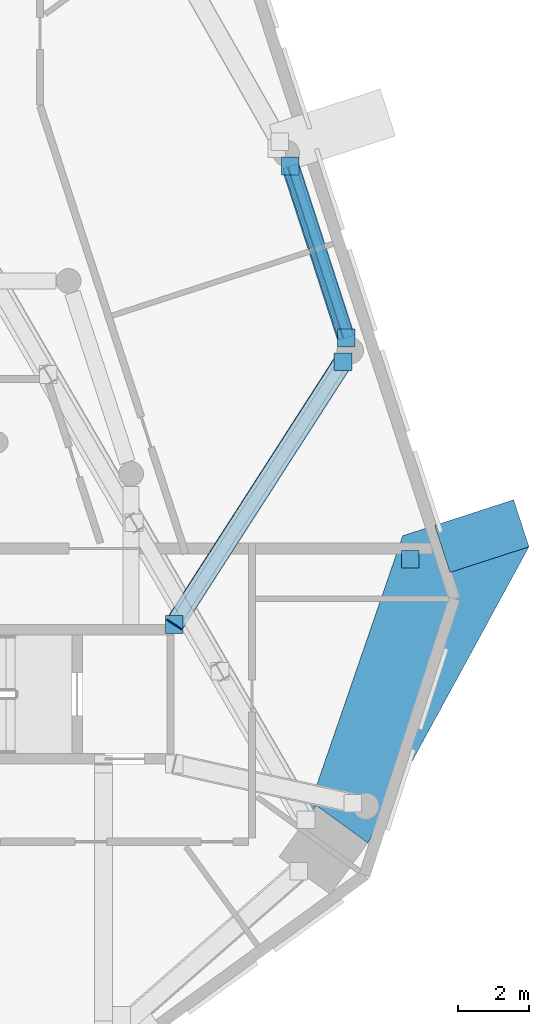
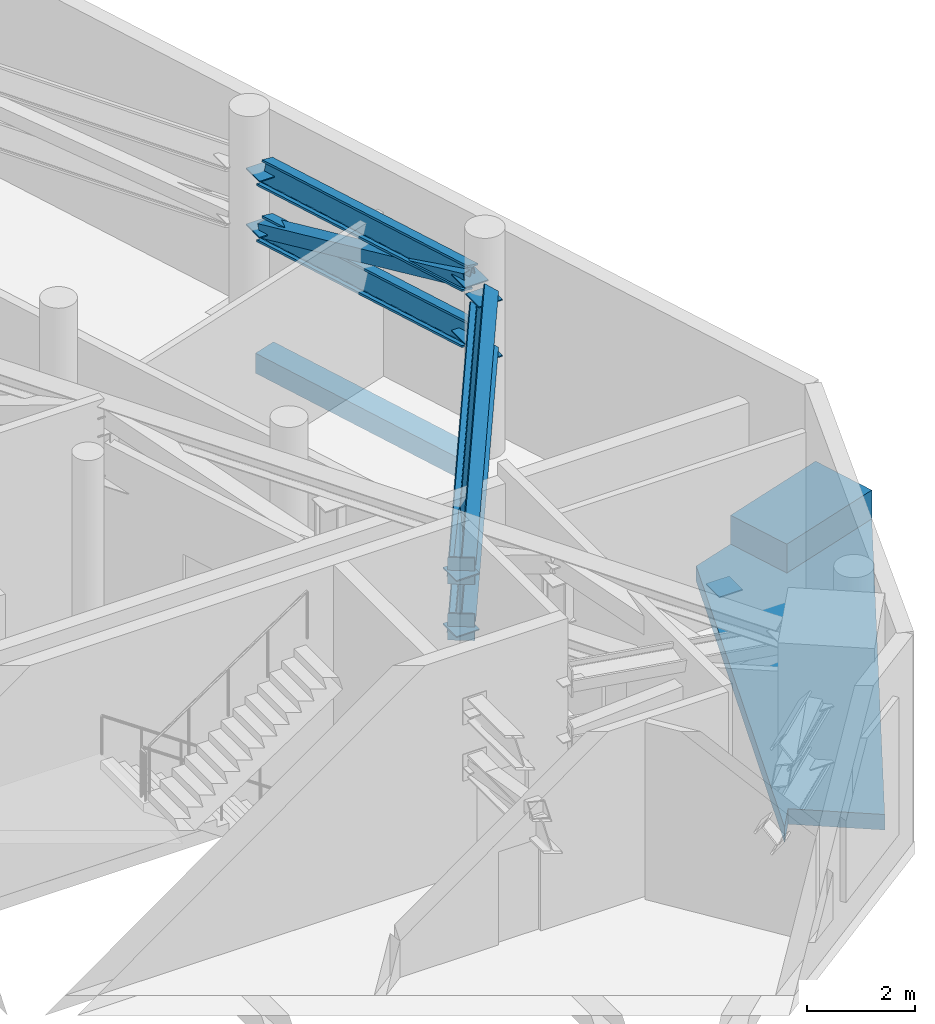
# One storey, part 5 of 17: 11 discrete accessories, 8 members, 1 beam.
"""IFC4 building model written with IfcOpenShell, lengths in metres."""

import ifcopenshell
import ifcopenshell.guid

model = None  # the IFC model being written
_history = None  # IfcOwnerHistory: only IFC2X3 demands one
_inside = {}  # id of a spatial element -> (the spatial element, [elements in it])
_under = {}  # id of a project, library or spatial element -> (it, [spatial elements below it])
_declared = {}  # id of a project -> (the project, [libraries it declares])
_typed = {}  # id of a type object -> (the type object, [elements of that type])
_made_of = {}  # id of a material, layer set ... -> (it, [elements and type objects made of it])


def new_model(schema):
    """Start an empty IFC model of exactly this schema.

    Asked for "IFC4X3", IfcOpenShell would pick the latest addendum, in which some entities
    have other attributes; the version numbers below select the first issue.
    IFC2X3 requires an IfcOwnerHistory on every rooted entity: one is made here for all.
    """
    global model, _history
    if schema == "IFC4X3":
        model = ifcopenshell.file(schema_version=(4, 3, 0, 0))
    else:
        model = ifcopenshell.file(schema=schema)
    _inside.clear()
    _under.clear()
    _declared.clear()
    _typed.clear()
    _made_of.clear()
    _history = None
    if model.schema == "IFC2X3":
        org = make("IfcOrganization", Name="unknown")
        user = make(
            "IfcPersonAndOrganization",
            ThePerson=make("IfcPerson", FamilyName="unknown"),
            TheOrganization=org,
        )
        app = make(
            "IfcApplication",
            ApplicationDeveloper=org,
            Version="unknown",
            ApplicationFullName="unknown",
            ApplicationIdentifier="unknown",
        )
        _history = make(
            "IfcOwnerHistory",
            OwningUser=user,
            OwningApplication=app,
            ChangeAction="ADDED",
            CreationDate=0,
        )
    return model


def make(cls, **values):
    """One entity of the class cls with the attributes given. An attribute that is None is left unset."""
    return model.create_entity(
        cls, **{name: value for name, value in values.items() if value is not None}
    )


def rooted(cls, **values):
    """An entity with a GlobalId (a new one), such as an element, a storey or a relation."""
    return make(cls, GlobalId=ifcopenshell.guid.new(), OwnerHistory=_history, **values)


def si_unit(unit_type, name, prefix=None):
    """IfcSIUnit, for example si_unit("LENGTHUNIT", "METRE", prefix="MILLI")."""
    return make("IfcSIUnit", UnitType=unit_type, Prefix=prefix, Name=name)


def assignment(units):
    """IfcUnitAssignment: the units of a project."""
    return None if units is None else make("IfcUnitAssignment", Units=units)


def point(xyz):
    """IfcCartesianPoint."""
    return None if xyz is None else make("IfcCartesianPoint", Coordinates=xyz)


def direction(xyz):
    """IfcDirection."""
    return None if xyz is None else make("IfcDirection", DirectionRatios=xyz)


def frame(location, z_axis=None, x_axis=None):
    """IfcAxis2Placement3D, a coordinate frame: its origin and axes. An axis left out is left unset."""
    return make(
        "IfcAxis2Placement3D",
        Location=point(location),
        Axis=direction(z_axis),
        RefDirection=direction(x_axis),
    )


def frame_2d(location, x_axis=None):
    """IfcAxis2Placement2D, a coordinate frame in the plane: its origin and x axis."""
    return make(
        "IfcAxis2Placement2D", Location=point(location), RefDirection=direction(x_axis)
    )


def origin():
    """The frame at (0, 0, 0) with its axes left unset."""
    return frame((0.0, 0.0, 0.0))


def origin_2d():
    """The frame at (0, 0) in the plane with its x axis left unset."""
    return frame_2d((0.0, 0.0))


def place(relative_to, where):
    """IfcLocalPlacement: puts the frame where relative to a parent placement (None: the world)."""
    return make(
        "IfcLocalPlacement", PlacementRelTo=relative_to, RelativePlacement=where
    )


def context(
    kind, dimensions, precision=None, world=None, true_north=None, identifier=None
):
    """IfcGeometricRepresentationContext, for example the 3D "Model" context."""
    return make(
        "IfcGeometricRepresentationContext",
        ContextIdentifier=identifier,
        ContextType=kind,
        CoordinateSpaceDimension=dimensions,
        Precision=precision,
        WorldCoordinateSystem=world,
        TrueNorth=true_north,
    )


def subcontext(parent, identifier, kind, view, scale=None):
    """IfcGeometricRepresentationSubContext, for example "Body" below "Model"."""
    return make(
        "IfcGeometricRepresentationSubContext",
        ContextIdentifier=identifier,
        ContextType=kind,
        ParentContext=parent,
        TargetScale=scale,
        TargetView=view,
    )


def project(units=None, contexts=None):
    """IfcProject with its units and contexts."""
    return rooted(
        "IfcProject",
        Name="project",
        RepresentationContexts=contexts,
        UnitsInContext=assignment(units),
    )


def spatial(cls, under=None, at=None, **own):
    """A site, building, storey or space (cls), placed at a placement, below another one or the project."""
    s = rooted(cls, ObjectPlacement=at, **own)
    if under is not None:
        _under.setdefault(under.id(), (under, []))[1].append(s)
    return s


def polyline(points):
    """IfcPolyline through the points."""
    return make("IfcPolyline", Points=[point(p) for p in points])


def profile(cls, at=None, kind="AREA", **sizes):
    """A parametric profile (cls). Its sizes go by their IFC names, for example OverallWidth=200.0."""
    return make(cls, ProfileType=kind, Position=at, **sizes)


def rectangle(**sizes):
    """IfcRectangleProfileDef."""
    return profile("IfcRectangleProfileDef", **sizes)


def hollow_rectangle(**sizes):
    """IfcRectangleHollowProfileDef."""
    return profile("IfcRectangleHollowProfileDef", **sizes)


def i_section(**sizes):
    """IfcIShapeProfileDef."""
    return profile("IfcIShapeProfileDef", **sizes)


def outline(outer, holes=None, kind="AREA"):
    """IfcArbitraryClosedProfileDef: a profile drawn as a closed curve; with holes, ...WithVoids."""
    if holes is None:
        return make("IfcArbitraryClosedProfileDef", ProfileType=kind, OuterCurve=outer)
    return make(
        "IfcArbitraryProfileDefWithVoids",
        ProfileType=kind,
        OuterCurve=outer,
        InnerCurves=holes,
    )


def extrude(swept, where, along, depth):
    """IfcExtrudedAreaSolid: the profile swept, set in the frame where, extruded along a direction by depth."""
    return make(
        "IfcExtrudedAreaSolid",
        SweptArea=swept,
        Position=where,
        ExtrudedDirection=direction(along),
        Depth=depth,
    )


def shape(context_of_items, identifier, shape_type, items):
    """IfcShapeRepresentation: the items that make up one representation, for example the "Body"."""
    return make(
        "IfcShapeRepresentation",
        ContextOfItems=context_of_items,
        RepresentationIdentifier=identifier,
        RepresentationType=shape_type,
        Items=items,
    )


def material(Name=None, Category=None):
    """IfcMaterial."""
    return make("IfcMaterial", Name=Name, Category=Category)


def layer(
    of_material, thickness, ventilated=None, Name=None, Category=None, Priority=None
):
    """IfcMaterialLayer: one layer of a wall or slab, of a material (None: an air gap)."""
    return make(
        "IfcMaterialLayer",
        Material=of_material,
        LayerThickness=thickness,
        IsVentilated=ventilated,
        Name=Name,
        Category=Category,
        Priority=Priority,
    )


def layer_set(layers, Name=None):
    """IfcMaterialLayerSet."""
    return make("IfcMaterialLayerSet", MaterialLayers=layers, LayerSetName=Name)


def material_profile(
    of_material, cross_section, Name=None, Category=None, Priority=None
):
    """IfcMaterialProfile: a cross section and its material."""
    return make(
        "IfcMaterialProfile",
        Name=Name,
        Material=of_material,
        Profile=cross_section,
        Priority=Priority,
        Category=Category,
    )


def profile_set(profiles, Name=None, composite=None):
    """IfcMaterialProfileSet."""
    return make(
        "IfcMaterialProfileSet",
        Name=Name,
        MaterialProfiles=profiles,
        CompositeProfile=composite,
    )


def made_of(thing, what):
    """Note that an element or type object is made of a material, layer set ...; save() writes the relation."""
    if what is not None:
        _made_of.setdefault(what.id(), (what, []))[1].append(thing)
    return thing


def type_object(cls, material=None, **own):
    """A type object (cls), such as IfcWallType, which elements share."""
    return made_of(rooted(cls, **own), material)


def element(
    cls,
    number,
    at=None,
    inside=None,
    cuts=None,
    type_object=None,
    material=None,
    context=None,
    identifier="Body",
    shape_type=None,
    held_by="IfcProductDefinitionShape",
    body=None,
    shapes=None,
    **own,
):
    """One element of the class cls, such as IfcWall. Its Tag is "e" and its number.

    at: its placement. inside: the storey or other place that contains it. cuts: it is an
    opening in that element (IfcRelVoidsElement). A single representation is given by context,
    identifier, shape_type and body (its items); several are given by shapes. held_by: the class
    of the entity that holds the representations. save() writes the other relations.
    """
    e = rooted(cls, Tag="e%d" % number, ObjectPlacement=at, **own)
    if body is not None:
        shapes = [shape(context, identifier, shape_type, body)]
    if shapes is not None:
        e.Representation = make(held_by, Representations=shapes)
    if inside is not None:
        _inside.setdefault(inside.id(), (inside, []))[1].append(e)
    if cuts is not None:
        rooted(
            "IfcRelVoidsElement", RelatingBuildingElement=cuts, RelatedOpeningElement=e
        )
    if type_object is not None:
        _typed.setdefault(type_object.id(), (type_object, []))[1].append(e)
    return made_of(e, material)


def aggregate(whole, parts):
    """IfcRelAggregates: a whole, such as a stair, and the parts it consists of."""
    return rooted("IfcRelAggregates", RelatingObject=whole, RelatedObjects=parts)


def save(model, path):
    """Write the relations noted so far, then the file.

    IfcRelAggregates (storeys below a building ...), IfcRelContainedInSpatialStructure (elements
    in a storey), IfcRelDefinesByType, IfcRelAssociatesMaterial and IfcRelDeclares: one each for
    every whole, place, type object, material and project.
    """
    for whole, parts in _under.values():
        aggregate(whole, parts)
    for where, things in _inside.values():
        rooted(
            "IfcRelContainedInSpatialStructure",
            RelatedElements=things,
            RelatingStructure=where,
        )
    for kind, things in _typed.values():
        rooted("IfcRelDefinesByType", RelatedObjects=things, RelatingType=kind)
    for what, things in _made_of.values():
        rooted("IfcRelAssociatesMaterial", RelatedObjects=things, RelatingMaterial=what)
    for by, libraries in _declared.values():
        rooted("IfcRelDeclares", RelatingContext=by, RelatedDefinitions=libraries)
    model.write(path)


model = new_model("IFC4")

# Units and contexts
model_context = context("Model", 3, precision=1e-05, world=origin(), true_north=direction((0.0, 1.0)))
body_context = subcontext(model_context, "Body", "Model", "MODEL_VIEW")
ifc_project = project(units=[si_unit("LENGTHUNIT", "METRE"), si_unit("AREAUNIT", "SQUARE_METRE"), si_unit("VOLUMEUNIT", "CUBIC_METRE"), si_unit("PLANEANGLEUNIT", "RADIAN"), si_unit("MASSUNIT", "GRAM", prefix="KILO")], contexts=[model_context])

# Site, building, storey
site_placement = place(None, origin())
site = spatial("IfcSite", under=ifc_project, at=site_placement, CompositionType="ELEMENT")
building_placement = place(site_placement, origin())
building = spatial("IfcBuilding", under=site, at=building_placement, Name="White Candle Pilgrim Tower", CompositionType="ELEMENT")
storey_placement = place(building_placement, frame((0.0, 0.0, 191.5)))
storey = spatial("IfcBuildingStorey", under=building, at=storey_placement, Name="L44", CompositionType="ELEMENT", Elevation=191.5)

# Member
ifc_material_1 = material(Name="Steel S355", Category="steel")
ifc_material_profile_1 = material_profile(ifc_material_1, i_section(OverallWidth=0.305908203125, OverallDepth=0.52392578125, WebThickness=0.02099609375, FlangeThickness=0.0400390625, FilletRadius=0.027099609375, at=origin_2d()), Name="HEM 500")
ifc_profile_set_1 = profile_set([ifc_material_profile_1], Name="Steel S355")
member_type_1 = type_object("IfcMemberType", Name="Belt truss chord HEM 500 S355", PredefinedType="CHORD", material=ifc_profile_set_1)
member_1_placement = place(storey_placement, frame((91.77734375, 69.28466796875, 2.412109375), z_axis=(-0.540595612128, -0.841282582815, 0.0), x_axis=(0.707757556798, -0.454794426357, -0.540593442941)))
member_1 = element("IfcMember", 1, at=member_1_placement, inside=storey, type_object=member_type_1, Name="L44 belt truss bottom chord 07", PredefinedType="CHORD", context=body_context, shape_type="SweptSolid", body=[
    extrude(i_section(OverallWidth=0.305908203125, OverallDepth=0.52392578125, WebThickness=0.02099609375, FlangeThickness=0.0400390625, FilletRadius=0.027099609375, at=origin_2d()), origin(), (0.0, 0.0, 1.0), 8.837158203125),
])

member_2_placement = place(storey_placement, frame((91.77734375, 69.28466796875, 3.677978515625), z_axis=(-0.540595612128, -0.841282582815, 0.0), x_axis=(0.707757556798, -0.454794426357, -0.540593442941)))
member_2 = element("IfcMember", 2, at=member_2_placement, inside=storey, type_object=member_type_1, Name="L44 belt truss top chord 07", PredefinedType="CHORD", context=body_context, shape_type="SweptSolid", body=[
    extrude(i_section(OverallWidth=0.305908203125, OverallDepth=0.52392578125, WebThickness=0.02099609375, FlangeThickness=0.0400390625, FilletRadius=0.027099609375, at=origin_2d()), origin(), (0.0, 0.0, 1.0), 8.837158203125),
])

member_3_placement = place(storey_placement, frame((91.8642578125, 69.95654296875, 2.412109375), z_axis=(-0.308530369215, 0.951214492779, 0.0), x_axis=(0.904807198821, 0.293477970784, -0.308536243617)))
member_3 = element("IfcMember", 3, at=member_3_placement, inside=storey, type_object=member_type_1, Name="L44 belt truss bottom chord 08", PredefinedType="CHORD", context=body_context, shape_type="SweptSolid", body=[
    extrude(i_section(OverallWidth=0.305908203125, OverallDepth=0.52392578125, WebThickness=0.02099609375, FlangeThickness=0.0400390625, FilletRadius=0.027099609375, at=origin_2d()), origin(), (0.0, 0.0, 1.0), 5.116455078125),
])

member_4_placement = place(storey_placement, frame((91.8642578125, 69.95654296875, 3.677978515625), z_axis=(-0.308530369215, 0.951214492779, 0.0), x_axis=(0.904807198821, 0.293477970784, -0.308536243617)))
member_4 = element("IfcMember", 4, at=member_4_placement, inside=storey, type_object=member_type_1, Name="L44 belt truss top chord 08", PredefinedType="CHORD", context=body_context, shape_type="SweptSolid", body=[
    extrude(i_section(OverallWidth=0.305908203125, OverallDepth=0.52392578125, WebThickness=0.02099609375, FlangeThickness=0.0400390625, FilletRadius=0.027099609375, at=origin_2d()), origin(), (0.0, 0.0, 1.0), 5.116455078125),
])

# Members
ifc_material_profile_2 = material_profile(ifc_material_1, hollow_rectangle(XDim=0.300048828125, YDim=0.300048828125, WallThickness=0.01611328125, at=origin_2d()), Name="SHS 300x300x16")
ifc_profile_set_2 = profile_set([ifc_material_profile_2], Name="Steel S355")
member_type_2 = type_object("IfcMemberType", Name="Belt truss diagonal SHS 300x300x16 S355", PredefinedType="BRACE", material=ifc_profile_set_2)
member_5_placement = place(storey_placement, frame((91.77734375, 69.28466796875, 2.412109375), z_axis=(-0.535133370927, -0.832782165346, 0.141796122662), x_axis=(0.841282582815, -0.540595612128, 0.0)))
element("IfcMember", 5, at=member_5_placement, inside=storey, type_object=member_type_2, Name="L44 belt truss diagonal 07", PredefinedType="BRACE", context=body_context, shape_type="SweptSolid", body=[
    extrude(hollow_rectangle(XDim=0.300048828125, YDim=0.300048828125, WallThickness=0.01611328125, at=origin_2d()), origin(), (0.0, 0.0, 1.0), 8.927490234375),
])
member_6_placement = place(storey_placement, frame((91.8642578125, 69.95654296875, 3.677978515625), z_axis=(-0.299500301646, 0.923374344775, -0.240165336226), x_axis=(-0.951214492779, -0.308530369215, 0.0)))
element("IfcMember", 6, at=member_6_placement, inside=storey, type_object=member_type_2, Name="L44 belt truss diagonal 08", PredefinedType="BRACE", context=body_context, shape_type="SweptSolid", body=[
    extrude(hollow_rectangle(XDim=0.300048828125, YDim=0.300048828125, WallThickness=0.01611328125, at=origin_2d()), origin(), (0.0, 0.0, 1.0), 5.270751953125),
])

# Member
ifc_material_2 = material(Name="Concrete C70/85, white", Category="concrete")
ifc_layer_1 = layer(ifc_material_2, 0.300048828125)
ifc_layer_set_1 = layer_set([ifc_layer_1], Name="Node tie strut 3300x1400x300 C70/85")
member_type_3 = type_object("IfcMemberType", Name="Node tie strut 3300x1400x300 C70/85", PredefinedType="STRUT", material=ifc_layer_set_1)
member_7_placement = place(storey_placement, frame((0.0, 0.0, -0.35009765625)))
member_7 = element("IfcMember", 7, at=member_7_placement, inside=storey, type_object=member_type_3, Name="Node tie strut NC141", PredefinedType="STRUT", context=body_context, shape_type="SweptSolid", body=[
    extrude(outline(polyline([(92.47705078125, 55.669189453125), (97.037109375, 64.04638671875), (96.6044921875, 65.3779296875), (93.4658203125, 64.358154296875), (90.666015625, 56.238525390625), (91.02099609375, 56.72705078125), (92.47705078125, 55.669189453125)])), origin(), (0.0, 0.0, 1.0), 0.35009765625),
])

member_8_placement = place(storey_placement, origin())
element("IfcMember", 8, at=member_8_placement, inside=storey, type_object=member_type_3, Name="Node tie strut NC141", PredefinedType="STRUT", context=body_context, shape_type="SweptSolid", body=[
    extrude(outline(polyline([(94.802001953125, 63.3203125), (97.037109375, 64.04638671875), (96.6044921875, 65.3779296875), (94.369384765625, 64.651611328125), (94.802001953125, 63.3203125)])), origin(), (0.0, 0.0, 1.0), 0.64990234375),
])

# Beam
ifc_material_3 = material(Name="Concrete C50/60", Category="concrete")
ifc_material_profile_3 = material_profile(ifc_material_3, rectangle(XDim=0.5, YDim=0.449951171875, at=origin_2d()), Name="RC-BM 500x450")
ifc_profile_set_3 = profile_set([ifc_material_profile_3], Name="Concrete C50/60")
beam_type = type_object("IfcBeamType", Name="Spandrel beam RC-BM 500x450 C50/60", PredefinedType="BEAM", material=ifc_profile_set_3)
beam_placement = place(storey_placement, frame((91.8642578125, 69.95654296875, -0.52490234375), z_axis=(-0.308530369215, 0.951214492779, 0.0), x_axis=(-0.951214492779, -0.308530369215, 0.0)))
element("IfcBeam", 9, at=beam_placement, inside=storey, type_object=beam_type, Name="L44 spandrel beam T08", PredefinedType="BEAM", context=body_context, shape_type="SweptSolid", body=[
    extrude(rectangle(XDim=0.5, YDim=0.449951171875, at=origin_2d()), origin(), (0.0, 0.0, 1.0), 5.116455078125),
])

# Discrete accessory
ifc_layer_2 = layer(ifc_material_1, 0.030029296875)
ifc_layer_set_2 = layer_set([ifc_layer_2], Name="Cast-in plate 500x600x30 S355")
discrete_accessory_type_1 = type_object("IfcDiscreteAccessoryType", Name="Cast-in plate 500x600x30 S355", PredefinedType="ANCHORPLATE", material=ifc_layer_set_2)
discrete_accessory_1_placement = place(storey_placement, frame((87.0, 61.85009765625, 2.112060546875), z_axis=(0.0, 0.0, 1.0), x_axis=(0.540592764284, 0.84128441279, 0.0)))
discrete_accessory_1 = element("IfcDiscreteAccessory", 10, at=discrete_accessory_1_placement, type_object=discrete_accessory_type_1, Name="Cast-in plate 0019", PredefinedType="ANCHORPLATE", context=body_context, shape_type="SweptSolid", body=[
    extrude(rectangle(XDim=0.030029296875, YDim=0.5, at=origin_2d()), origin(), (0.0, 0.0, 1.0), 0.60009765625),
])

discrete_accessory_2_placement = place(storey_placement, frame((87.0, 61.85009765625, 3.3779296875), z_axis=(0.0, 0.0, 1.0), x_axis=(0.540592764284, 0.84128441279, 0.0)))
discrete_accessory_2 = element("IfcDiscreteAccessory", 11, at=discrete_accessory_2_placement, type_object=discrete_accessory_type_1, Name="Cast-in plate 0020", PredefinedType="ANCHORPLATE", context=body_context, shape_type="SweptSolid", body=[
    extrude(rectangle(XDim=0.030029296875, YDim=0.5, at=origin_2d()), origin(), (0.0, 0.0, 1.0), 0.60009765625),
])

ifc_layer_3 = layer(ifc_material_1, 0.02490234375)
ifc_layer_set_3 = layer_set([ifc_layer_3], Name="Gusset plate 500x500x25 S355")
discrete_accessory_type_2 = type_object("IfcDiscreteAccessoryType", Name="Gusset plate 500x500x25 S355", PredefinedType="BRACKET", material=ifc_layer_set_3)
discrete_accessory_3_placement = place(storey_placement, frame((93.682373046875, 63.6923828125, -0.162353515625), z_axis=(0.0, 0.0, 1.0), x_axis=(1.0, 0.0, 0.0)))
discrete_accessory_3 = element("IfcDiscreteAccessory", 12, at=discrete_accessory_3_placement, type_object=discrete_accessory_type_2, Name="Gusset plate 0522", PredefinedType="BRACKET", context=body_context, shape_type="SweptSolid", body=[
    extrude(rectangle(XDim=0.5, YDim=0.5, at=origin_2d()), origin(), (0.0, 0.0, 1.0), 0.02490234375),
])

aggregate(member_7, [discrete_accessory_3])

discrete_accessory_4_placement = place(storey_placement, frame((91.77734375, 69.28466796875, 2.399658203125), z_axis=(0.0, 0.0, 1.0), x_axis=(1.0, 0.0, 0.0)))
discrete_accessory_4 = element("IfcDiscreteAccessory", 13, at=discrete_accessory_4_placement, type_object=discrete_accessory_type_2, Name="Gusset plate 0802", PredefinedType="BRACKET", context=body_context, shape_type="SweptSolid", body=[
    extrude(rectangle(XDim=0.5, YDim=0.5, at=origin_2d()), origin(), (0.0, 0.0, 1.0), 0.02490234375),
])

discrete_accessory_5_placement = place(storey_placement, frame((87.0, 61.85009765625, 2.399658203125), z_axis=(0.0, 0.0, 1.0), x_axis=(1.0, 0.0, 0.0)))
discrete_accessory_5 = element("IfcDiscreteAccessory", 14, at=discrete_accessory_5_placement, type_object=discrete_accessory_type_2, Name="Gusset plate 0803", PredefinedType="BRACKET", context=body_context, shape_type="SweptSolid", body=[
    extrude(rectangle(XDim=0.5, YDim=0.5, at=origin_2d()), origin(), (0.0, 0.0, 1.0), 0.02490234375),
])

aggregate(member_1, [discrete_accessory_4, discrete_accessory_5, discrete_accessory_1])

discrete_accessory_6_placement = place(storey_placement, frame((91.77734375, 69.28466796875, 3.66552734375), z_axis=(0.0, 0.0, 1.0), x_axis=(1.0, 0.0, 0.0)))
discrete_accessory_6 = element("IfcDiscreteAccessory", 15, at=discrete_accessory_6_placement, type_object=discrete_accessory_type_2, Name="Gusset plate 0804", PredefinedType="BRACKET", context=body_context, shape_type="SweptSolid", body=[
    extrude(rectangle(XDim=0.5, YDim=0.5, at=origin_2d()), origin(), (0.0, 0.0, 1.0), 0.02490234375),
])

discrete_accessory_7_placement = place(storey_placement, frame((87.0, 61.85009765625, 3.66552734375), z_axis=(0.0, 0.0, 1.0), x_axis=(1.0, 0.0, 0.0)))
discrete_accessory_7 = element("IfcDiscreteAccessory", 16, at=discrete_accessory_7_placement, type_object=discrete_accessory_type_2, Name="Gusset plate 0805", PredefinedType="BRACKET", context=body_context, shape_type="SweptSolid", body=[
    extrude(rectangle(XDim=0.5, YDim=0.5, at=origin_2d()), origin(), (0.0, 0.0, 1.0), 0.02490234375),
])

aggregate(member_2, [discrete_accessory_6, discrete_accessory_7, discrete_accessory_2])

discrete_accessory_8_placement = place(storey_placement, frame((91.8642578125, 69.95654296875, 2.399658203125), z_axis=(0.0, 0.0, 1.0), x_axis=(1.0, 0.0, 0.0)))
discrete_accessory_8 = element("IfcDiscreteAccessory", 17, at=discrete_accessory_8_placement, type_object=discrete_accessory_type_2, Name="Gusset plate 0806", PredefinedType="BRACKET", context=body_context, shape_type="SweptSolid", body=[
    extrude(rectangle(XDim=0.5, YDim=0.5, at=origin_2d()), origin(), (0.0, 0.0, 1.0), 0.02490234375),
])

discrete_accessory_9_placement = place(storey_placement, frame((90.28564453125, 74.823486328125, 2.399658203125), z_axis=(0.0, 0.0, 1.0), x_axis=(1.0, 0.0, 0.0)))
discrete_accessory_9 = element("IfcDiscreteAccessory", 18, at=discrete_accessory_9_placement, type_object=discrete_accessory_type_2, Name="Gusset plate 0807", PredefinedType="BRACKET", context=body_context, shape_type="SweptSolid", body=[
    extrude(rectangle(XDim=0.5, YDim=0.5, at=origin_2d()), origin(), (0.0, 0.0, 1.0), 0.02490234375),
])

aggregate(member_3, [discrete_accessory_8, discrete_accessory_9])

discrete_accessory_10_placement = place(storey_placement, frame((91.8642578125, 69.95654296875, 3.66552734375), z_axis=(0.0, 0.0, 1.0), x_axis=(1.0, 0.0, 0.0)))
discrete_accessory_10 = element("IfcDiscreteAccessory", 19, at=discrete_accessory_10_placement, type_object=discrete_accessory_type_2, Name="Gusset plate 0808", PredefinedType="BRACKET", context=body_context, shape_type="SweptSolid", body=[
    extrude(rectangle(XDim=0.5, YDim=0.5, at=origin_2d()), origin(), (0.0, 0.0, 1.0), 0.02490234375),
])

discrete_accessory_11_placement = place(storey_placement, frame((90.28564453125, 74.823486328125, 3.66552734375), z_axis=(0.0, 0.0, 1.0), x_axis=(1.0, 0.0, 0.0)))
discrete_accessory_11 = element("IfcDiscreteAccessory", 20, at=discrete_accessory_11_placement, type_object=discrete_accessory_type_2, Name="Gusset plate 0809", PredefinedType="BRACKET", context=body_context, shape_type="SweptSolid", body=[
    extrude(rectangle(XDim=0.5, YDim=0.5, at=origin_2d()), origin(), (0.0, 0.0, 1.0), 0.02490234375),
])

aggregate(member_4, [discrete_accessory_10, discrete_accessory_11])

save(model, "model.ifc")
